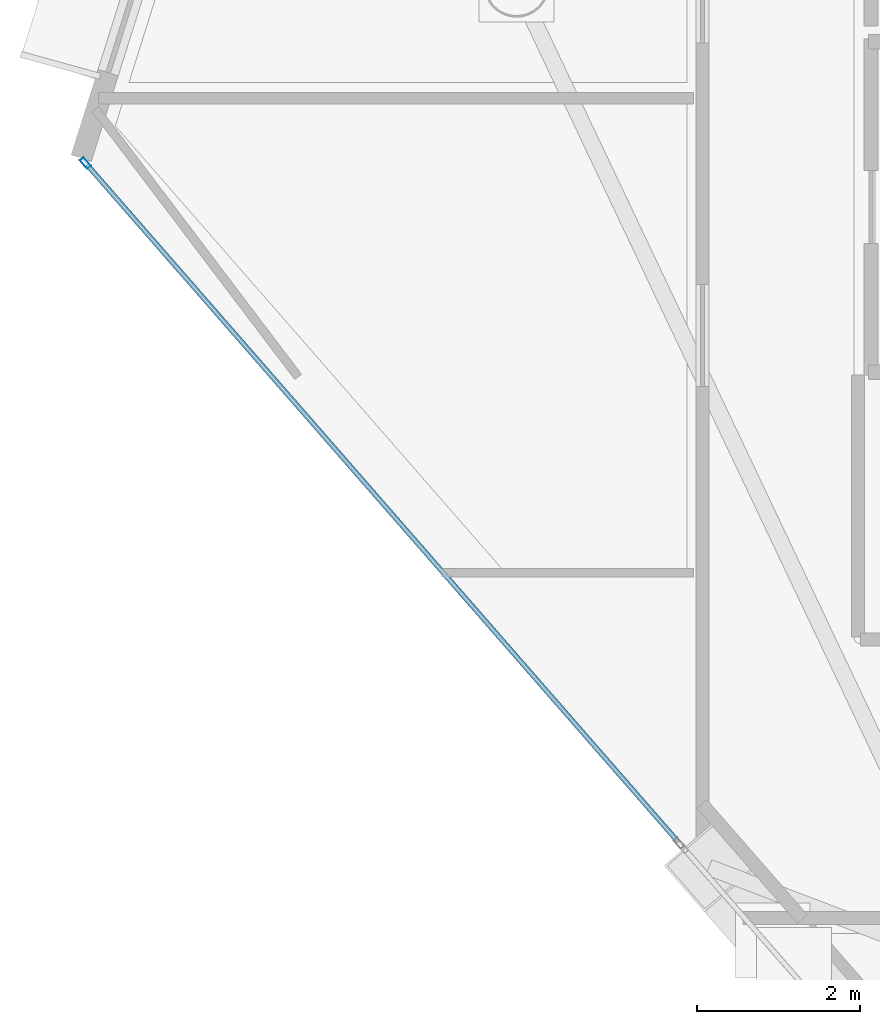
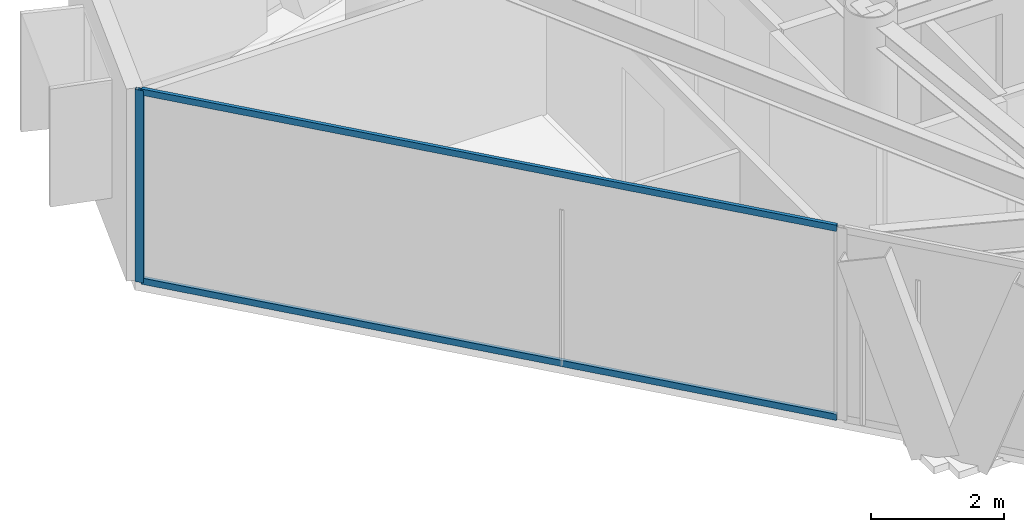
# One storey, part 6 of 19: 3 members, 1 element without a shape of its own.
"""IFC4 building model written with IfcOpenShell, lengths in metres."""

from ifc_helpers import new_model, si_unit, direction, frame, origin, origin_2d, place, context, subcontext, project, spatial, hollow_rectangle, extrude, material, layer, layer_set, material_profile, profile_set, type_object, element, aggregate, save


model = new_model("IFC4")

# Units and contexts
model_context = context("Model", 3, precision=1e-05, world=origin(), true_north=direction((0.0, 1.0)))
body_context = subcontext(model_context, "Body", "Model", "MODEL_VIEW")
ifc_project = project(units=[si_unit("LENGTHUNIT", "METRE"), si_unit("AREAUNIT", "SQUARE_METRE"), si_unit("VOLUMEUNIT", "CUBIC_METRE"), si_unit("PLANEANGLEUNIT", "RADIAN"), si_unit("MASSUNIT", "GRAM", prefix="KILO")], contexts=[model_context])

# Site, building, storey
site_placement = place(None, origin())
site = spatial("IfcSite", under=ifc_project, at=site_placement, CompositionType="ELEMENT")
building_placement = place(site_placement, origin())
building = spatial("IfcBuilding", under=site, at=building_placement, Name="Qianvela Tower", CompositionType="ELEMENT")
storey_placement = place(building_placement, frame((0.0, 0.0, 325.89990234375)))
storey = spatial("IfcBuildingStorey", under=building, at=storey_placement, Name="L84", CompositionType="ELEMENT", Elevation=325.89990234375)

# Curtain wall, members
ifc_material_1 = material(Name="Anodised Architectural Aluminium and Low-E Glass", Category="aluminium")
ifc_layer = layer(ifc_material_1, 0.14990234375)
ifc_layer_set = layer_set([ifc_layer], Name="Anodised Architectural Aluminium and Low-E Glass")
curtain_wall_type = type_object("IfcCurtainWallType", Name="CW-COLIV-Z78", PredefinedType="USERDEFINED", material=ifc_layer_set)
curtain_wall_placement = place(storey_placement, origin())
curtain_wall = element("IfcCurtainWall", 1, at=curtain_wall_placement, inside=storey, type_object=curtain_wall_type, Name="L84 CW-COLIV-Z78 Curtain Wall 04A", ObjectType="CURTAIN_WALL_SYSTEM", PredefinedType="USERDEFINED")
ifc_material_2 = material(Name="Anodised Architectural Aluminium 6063-T6", Category="aluminium")
ifc_material_profile_1 = material_profile(ifc_material_2, hollow_rectangle(XDim=0.06005859375, YDim=0.139892578125, WallThickness=0.00439453125, at=origin_2d()), Name="ALU-MULL-60x140")
ifc_profile_set_1 = profile_set([ifc_material_profile_1], Name="Anodised Architectural Aluminium 6063-T6")
member_type_1 = type_object("IfcMemberType", Name="CW-COLIV-Z78-MULL", PredefinedType="MULLION", material=ifc_profile_set_1)
member_1_placement = place(storey_placement, frame((18.109375, 27.59912109375, 0.0), z_axis=(0.0, 0.0, 1.0), x_axis=(0.753331908425, 0.657640506468, 0.0)))
member_1 = element("IfcMember", 2, at=member_1_placement, type_object=member_type_1, Name="CW-6 mullion 1", PredefinedType="MULLION", context=body_context, shape_type="SweptSolid", body=[
    extrude(hollow_rectangle(XDim=0.06005859375, YDim=0.139892578125, WallThickness=0.00439453125, at=origin_2d()), origin(), (0.0, 0.0, 1.0), 3.52001953125),
])
ifc_material_3 = material(Name="Anodised Architectural Aluminium 6063-T6", Category="aluminium")
ifc_material_profile_2 = material_profile(ifc_material_3, hollow_rectangle(XDim=0.06005859375, YDim=0.114990234375, WallThickness=0.00390625, at=origin_2d()), Name="ALU-TRAN-60x115")
ifc_profile_set_2 = profile_set([ifc_material_profile_2], Name="Anodised Architectural Aluminium 6063-T6")
member_type_2 = type_object("IfcMemberType", Name="CW-COLIV-Z78-TRAN", PredefinedType="USERDEFINED", material=ifc_profile_set_2)
member_2_placement = place(storey_placement, frame((18.129150390625, 27.57666015625, 0.030029296875), z_axis=(0.657632104659, -0.753339242919, 0.0), x_axis=(0.753339242919, 0.657632104659, 0.0)))
member_2 = element("IfcMember", 3, at=member_2_placement, type_object=member_type_2, Name="CW-6 transom 1.1", ObjectType="TRANSOM", PredefinedType="USERDEFINED", context=body_context, shape_type="SweptSolid", body=[
    extrude(hollow_rectangle(XDim=0.06005859375, YDim=0.114990234375, WallThickness=0.00390625, at=origin_2d()), origin(), (0.0, 0.0, 1.0), 11.02001953125),
])
member_3_placement = place(storey_placement, frame((18.129150390625, 27.57666015625, 3.489990234375), z_axis=(0.657632104659, -0.753339242919, 0.0), x_axis=(0.753339242919, 0.657632104659, 0.0)))
member_3 = element("IfcMember", 4, at=member_3_placement, type_object=member_type_2, Name="CW-6 transom 1.2", ObjectType="TRANSOM", PredefinedType="USERDEFINED", context=body_context, shape_type="SweptSolid", body=[
    extrude(hollow_rectangle(XDim=0.06005859375, YDim=0.114990234375, WallThickness=0.00390625, at=origin_2d()), origin(), (0.0, 0.0, 1.0), 11.02001953125),
])
aggregate(curtain_wall, [member_1, member_2, member_3])

save(model, "model.ifc")
